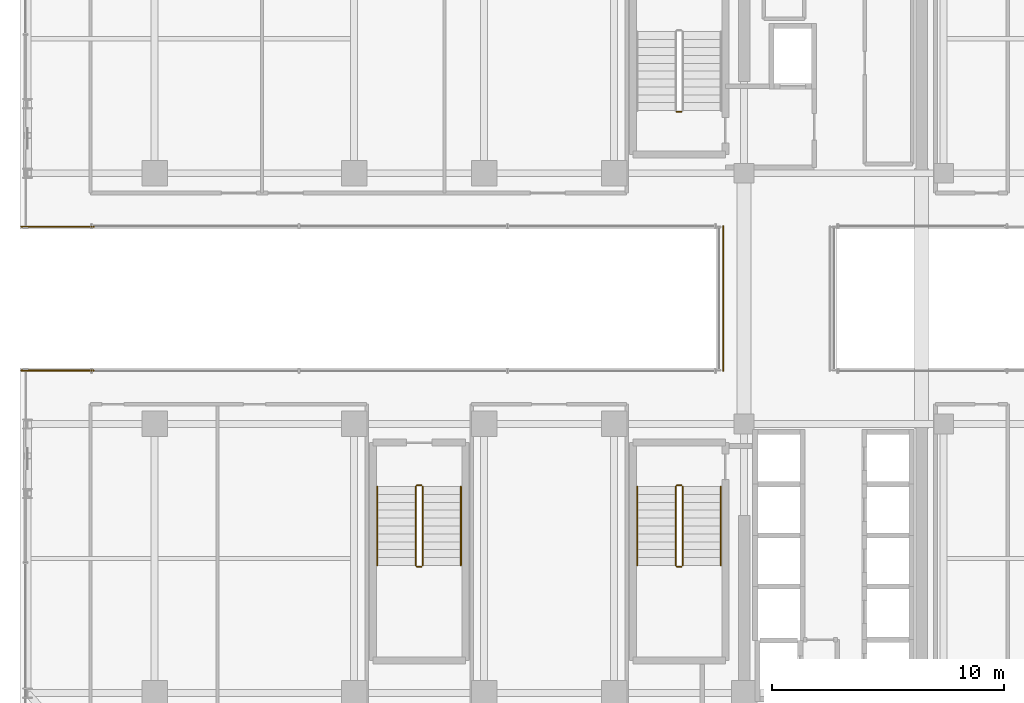
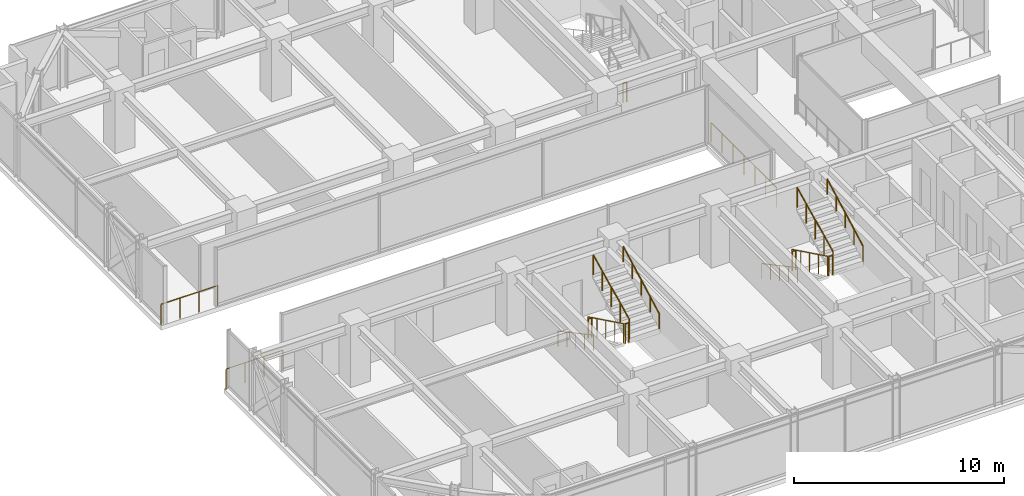
# One storey, part 38 of 41: 16 railings.
"""IFC4 building model written with IfcOpenShell, lengths in metres."""

from ifc_helpers import new_model, si_unit, direction, frame, origin, origin_2d, place, context, subcontext, project, spatial, circle, extrude, material, type_object, element, save


model = new_model("IFC4")

# Units and contexts
model_context = context("Model", 3, precision=1e-05, world=origin(), true_north=direction((0.0, 1.0)))
body_context = subcontext(model_context, "Body", "Model", "MODEL_VIEW")
ifc_project = project(units=[si_unit("LENGTHUNIT", "METRE"), si_unit("AREAUNIT", "SQUARE_METRE"), si_unit("VOLUMEUNIT", "CUBIC_METRE"), si_unit("PLANEANGLEUNIT", "RADIAN"), si_unit("MASSUNIT", "GRAM", prefix="KILO")], contexts=[model_context])

# Site, building, storey
site_placement = place(None, origin())
site = spatial("IfcSite", under=ifc_project, at=site_placement, CompositionType="ELEMENT")
building_placement = place(site_placement, origin())
building = spatial("IfcBuilding", under=site, at=building_placement, Name="Nahalor Promenade Grand Hotel", CompositionType="ELEMENT")
storey_placement = place(building_placement, frame((0.0, 0.0, 159.949951171875)))
storey = spatial("IfcBuildingStorey", under=building, at=storey_placement, Name="L40", CompositionType="ELEMENT", Elevation=159.949951171875)

# Railings
ifc_material_1 = material(Name="Anodised Bronze Aluminium EN AW-6063 T6", Category="aluminium")
railing_type_1 = type_object("IfcRailingType", Name="Bronze Balcony Guardrail 1200 mm", PredefinedType="GUARDRAIL", material=ifc_material_1)
for number, where, name in (
    (1, (-22.739990234375, -3.09912109375, 0.0), "L40 Oculus Void Edge Guardrail WS"),
    (2, (-22.739990234375, 3.09912109375, 0.0), "L40 Oculus Void Edge Guardrail WN"),
):
    element("IfcRailing", number, at=place(storey_placement, frame(where)), inside=storey, type_object=railing_type_1, Name=name, PredefinedType="GUARDRAIL", context=body_context, shape_type="SweptSolid", body=[
        extrude(circle(Radius=0.024048, at=origin_2d()), frame((0.0, 0.0, 1.17578125), z_axis=(1.0, 0.0, 0.0), x_axis=(0.0, 1.0, 0.0)), (0.0, 0.0, 1.0), 3.119873046875),
        extrude(circle(Radius=0.020996, at=origin_2d()), origin(), (0.0, 0.0, 1.0), 1.14990234375),
        extrude(circle(Radius=0.020996, at=origin_2d()), frame((1.0400390625, 0.0, 0.0)), (0.0, 0.0, 1.0), 1.14990234375),
        extrude(circle(Radius=0.020996, at=origin_2d()), frame((2.079833984375, 0.0, 0.0)), (0.0, 0.0, 1.0), 1.14990234375),
        extrude(circle(Radius=0.020996, at=origin_2d()), frame((3.119873046875, 0.0, 0.0)), (0.0, 0.0, 1.0), 1.14990234375),
    ])
railing_type_2 = type_object("IfcRailingType", Name="Bronze Sky Balustrade 1150 mm", PredefinedType="BALUSTRADE", material=ifc_material_1)
railing_1_placement = place(storey_placement, frame((7.5, -3.118896484375, 0.0)))
element("IfcRailing", 3, at=railing_1_placement, inside=storey, type_object=railing_type_2, Name="BL-L40-BRG-W", PredefinedType="BALUSTRADE", context=body_context, shape_type="SweptSolid", body=[
    extrude(circle(Radius=0.024048, at=origin_2d()), frame((0.0, 0.0, 1.1259765625), z_axis=(0.0, 1.0, 0.0), x_axis=(-1.0, 0.0, 0.0)), (0.0, 0.0, 1.0), 6.23779296875),
    extrude(circle(Radius=0.020996, at=origin_2d()), origin(), (0.0, 0.0, 1.0), 1.099853515625),
    extrude(circle(Radius=0.020996, at=origin_2d()), frame((0.0, 1.03955078125, 0.0)), (0.0, 0.0, 1.0), 1.099853515625),
    extrude(circle(Radius=0.020996, at=origin_2d()), frame((0.0, 2.079345703125, 0.0)), (0.0, 0.0, 1.0), 1.099853515625),
    extrude(circle(Radius=0.020996, at=origin_2d()), frame((0.0, 3.118896484375, 0.0)), (0.0, 0.0, 1.0), 1.099853515625),
    extrude(circle(Radius=0.020996, at=origin_2d()), frame((0.0, 4.158447265625, 0.0)), (0.0, 0.0, 1.0), 1.099853515625),
    extrude(circle(Radius=0.020996, at=origin_2d()), frame((0.0, 5.1982421875, 0.0)), (0.0, 0.0, 1.0), 1.099853515625),
    extrude(circle(Radius=0.020996, at=origin_2d()), frame((0.0, 6.23779296875, 0.0)), (0.0, 0.0, 1.0), 1.099853515625),
])
ifc_material_2 = material(Name="Steel S355JR", Category="steel")
railing_type_3 = type_object("IfcRailingType", Name="Steel Stair Guardrail 1150 mm", PredefinedType="GUARDRAIL", material=ifc_material_2)
railing_2_placement = place(storey_placement, frame((5.699951171875, 8.050048828125, 0.0)))
element("IfcRailing", 4, at=railing_2_placement, inside=storey, type_object=railing_type_3, Name="L40 ST1 stair guard 4", PredefinedType="GUARDRAIL", context=body_context, shape_type="SweptSolid", body=[
    extrude(circle(Radius=0.024048, at=origin_2d()), frame((0.0, 0.0, 1.1259765625), z_axis=(-1.0, 0.0, 0.0), x_axis=(0.0, -1.0, 0.0)), (0.0, 0.0, 1.0), 0.199951171875),
    extrude(circle(Radius=0.020996, at=origin_2d()), origin(), (0.0, 0.0, 1.0), 1.099853515625),
    extrude(circle(Radius=0.020996, at=origin_2d()), frame((-0.199951171875, 0.0, 0.0)), (0.0, 0.0, 1.0), 1.099853515625),
])
railing_3_placement = place(storey_placement, frame((5.449951171875, -8.10009765625, 0.166015625)))
element("IfcRailing", 5, at=railing_3_placement, inside=storey, type_object=railing_type_3, Name="L40 ST2 stair guard 1", PredefinedType="GUARDRAIL", context=body_context, shape_type="SweptSolid", body=[
    extrude(circle(Radius=0.024048, at=origin_2d()), frame((0.0, 0.0, 1.1259765625), z_axis=(0.0, -0.898721922897, 0.438518990814), x_axis=(1.0, 0.0, 0.0)), (0.0, 0.0, 1.0), 3.782958984375),
    extrude(circle(Radius=0.020996, at=origin_2d()), origin(), (0.0, 0.0, 1.0), 1.099853515625),
    extrude(circle(Radius=0.020996, at=origin_2d()), frame((0.0, -0.85009765625, 0.414794921875)), (0.0, 0.0, 1.0), 1.099853515625),
    extrude(circle(Radius=0.020996, at=origin_2d()), frame((0.0, -1.699951171875, 0.82958984375)), (0.0, 0.0, 1.0), 1.099853515625),
    extrude(circle(Radius=0.020996, at=origin_2d()), frame((0.0, -2.5498046875, 1.244140625)), (0.0, 0.0, 1.0), 1.099853515625),
    extrude(circle(Radius=0.020996, at=origin_2d()), frame((0.0, -3.39990234375, 1.658935546875)), (0.0, 0.0, 1.0), 1.099853515625),
])
railing_4_placement = place(storey_placement, frame((5.5, -11.550048828125, 1.824951171875)))
element("IfcRailing", 6, at=railing_4_placement, inside=storey, type_object=railing_type_3, Name="L40 ST2 stair guard 2", PredefinedType="GUARDRAIL", context=body_context, shape_type="SweptSolid", body=[
    extrude(circle(Radius=0.024048, at=origin_2d()), frame((0.0, 0.0, 1.1259765625), z_axis=(1.0, 0.0, 0.0), x_axis=(0.0, 1.0, 0.0)), (0.0, 0.0, 1.0), 0.199951171875),
    extrude(circle(Radius=0.020996, at=origin_2d()), origin(), (0.0, 0.0, 1.0), 1.099853515625),
    extrude(circle(Radius=0.020996, at=origin_2d()), frame((0.199951171875, 0.0, 0.0)), (0.0, 0.0, 1.0), 1.099853515625),
])
railing_5_placement = place(storey_placement, frame((5.75, -11.5, 1.990966796875)))
element("IfcRailing", 7, at=railing_5_placement, inside=storey, type_object=railing_type_3, Name="L40 ST2 stair guard 3", PredefinedType="GUARDRAIL", context=body_context, shape_type="SweptSolid", body=[
    extrude(circle(Radius=0.024048, at=origin_2d()), frame((0.0, 0.0, 1.1259765625), z_axis=(0.0, 0.898696488221, 0.438571114028), x_axis=(-1.0, 0.0, 0.0)), (0.0, 0.0, 1.0), 3.783203125),
    extrude(circle(Radius=0.020996, at=origin_2d()), origin(), (0.0, 0.0, 1.0), 1.099853515625),
    extrude(circle(Radius=0.020996, at=origin_2d()), frame((0.0, 0.85009765625, 0.414794921875)), (0.0, 0.0, 1.0), 1.099853515625),
    extrude(circle(Radius=0.020996, at=origin_2d()), frame((0.0, 1.699951171875, 0.82958984375)), (0.0, 0.0, 1.0), 1.099853515625),
    extrude(circle(Radius=0.020996, at=origin_2d()), frame((0.0, 2.5498046875, 1.244384765625)), (0.0, 0.0, 1.0), 1.099853515625),
    extrude(circle(Radius=0.020996, at=origin_2d()), frame((0.0, 3.39990234375, 1.6591796875)), (0.0, 0.0, 1.0), 1.099853515625),
])
railing_6_placement = place(storey_placement, frame((5.5, -8.050048828125, 0.0)))
element("IfcRailing", 8, at=railing_6_placement, inside=storey, type_object=railing_type_3, Name="L40 ST2 stair guard 4", PredefinedType="GUARDRAIL", context=body_context, shape_type="SweptSolid", body=[
    extrude(circle(Radius=0.024048, at=origin_2d()), frame((0.0, 0.0, 1.1259765625), z_axis=(1.0, 0.0, 0.0), x_axis=(0.0, 1.0, 0.0)), (0.0, 0.0, 1.0), 0.199951171875),
    extrude(circle(Radius=0.020996, at=origin_2d()), origin(), (0.0, 0.0, 1.0), 1.099853515625),
    extrude(circle(Radius=0.020996, at=origin_2d()), frame((0.199951171875, 0.0, 0.0)), (0.0, 0.0, 1.0), 1.099853515625),
])
railing_7_placement = place(storey_placement, frame((-5.75, -8.10009765625, 0.166015625)))
element("IfcRailing", 9, at=railing_7_placement, inside=storey, type_object=railing_type_3, Name="L40 ST3 stair guard 1", PredefinedType="GUARDRAIL", context=body_context, shape_type="SweptSolid", body=[
    extrude(circle(Radius=0.024048, at=origin_2d()), frame((0.0, 0.0, 1.1259765625), z_axis=(0.0, -0.898721922897, 0.438518990814), x_axis=(1.0, 0.0, 0.0)), (0.0, 0.0, 1.0), 3.782958984375),
    extrude(circle(Radius=0.020996, at=origin_2d()), origin(), (0.0, 0.0, 1.0), 1.099853515625),
    extrude(circle(Radius=0.020996, at=origin_2d()), frame((0.0, -0.85009765625, 0.414794921875)), (0.0, 0.0, 1.0), 1.099853515625),
    extrude(circle(Radius=0.020996, at=origin_2d()), frame((0.0, -1.699951171875, 0.82958984375)), (0.0, 0.0, 1.0), 1.099853515625),
    extrude(circle(Radius=0.020996, at=origin_2d()), frame((0.0, -2.5498046875, 1.244140625)), (0.0, 0.0, 1.0), 1.099853515625),
    extrude(circle(Radius=0.020996, at=origin_2d()), frame((0.0, -3.39990234375, 1.658935546875)), (0.0, 0.0, 1.0), 1.099853515625),
])
railing_8_placement = place(storey_placement, frame((-5.699951171875, -11.550048828125, 1.824951171875)))
element("IfcRailing", 10, at=railing_8_placement, inside=storey, type_object=railing_type_3, Name="L40 ST3 stair guard 2", PredefinedType="GUARDRAIL", context=body_context, shape_type="SweptSolid", body=[
    extrude(circle(Radius=0.024048, at=origin_2d()), frame((0.0, 0.0, 1.1259765625), z_axis=(1.0, 0.0, 0.0), x_axis=(0.0, 1.0, 0.0)), (0.0, 0.0, 1.0), 0.199951171875),
    extrude(circle(Radius=0.020996, at=origin_2d()), origin(), (0.0, 0.0, 1.0), 1.099853515625),
    extrude(circle(Radius=0.020996, at=origin_2d()), frame((0.199951171875, 0.0, 0.0)), (0.0, 0.0, 1.0), 1.099853515625),
])
railing_9_placement = place(storey_placement, frame((-5.449951171875, -11.5, 1.990966796875)))
element("IfcRailing", 11, at=railing_9_placement, inside=storey, type_object=railing_type_3, Name="L40 ST3 stair guard 3", PredefinedType="GUARDRAIL", context=body_context, shape_type="SweptSolid", body=[
    extrude(circle(Radius=0.024048, at=origin_2d()), frame((0.0, 0.0, 1.1259765625), z_axis=(0.0, 0.898696488221, 0.438571114028), x_axis=(-1.0, 0.0, 0.0)), (0.0, 0.0, 1.0), 3.783203125),
    extrude(circle(Radius=0.020996, at=origin_2d()), origin(), (0.0, 0.0, 1.0), 1.099853515625),
    extrude(circle(Radius=0.020996, at=origin_2d()), frame((0.0, 0.85009765625, 0.414794921875)), (0.0, 0.0, 1.0), 1.099853515625),
    extrude(circle(Radius=0.020996, at=origin_2d()), frame((0.0, 1.699951171875, 0.82958984375)), (0.0, 0.0, 1.0), 1.099853515625),
    extrude(circle(Radius=0.020996, at=origin_2d()), frame((0.0, 2.5498046875, 1.244384765625)), (0.0, 0.0, 1.0), 1.099853515625),
    extrude(circle(Radius=0.020996, at=origin_2d()), frame((0.0, 3.39990234375, 1.6591796875)), (0.0, 0.0, 1.0), 1.099853515625),
])
railing_10_placement = place(storey_placement, frame((-5.699951171875, -8.050048828125, 0.0)))
element("IfcRailing", 12, at=railing_10_placement, inside=storey, type_object=railing_type_3, Name="L40 ST3 stair guard 4", PredefinedType="GUARDRAIL", context=body_context, shape_type="SweptSolid", body=[
    extrude(circle(Radius=0.024048, at=origin_2d()), frame((0.0, 0.0, 1.1259765625), z_axis=(1.0, 0.0, 0.0), x_axis=(0.0, 1.0, 0.0)), (0.0, 0.0, 1.0), 0.199951171875),
    extrude(circle(Radius=0.020996, at=origin_2d()), origin(), (0.0, 0.0, 1.0), 1.099853515625),
    extrude(circle(Radius=0.020996, at=origin_2d()), frame((0.199951171875, 0.0, 0.0)), (0.0, 0.0, 1.0), 1.099853515625),
])
railing_type_4 = type_object("IfcRailingType", Name="Steel Stair Handrail 900 mm", PredefinedType="HANDRAIL", material=ifc_material_2)
railing_11_placement = place(storey_placement, frame((3.800048828125, -8.10009765625, 0.166015625)))
element("IfcRailing", 13, at=railing_11_placement, inside=storey, type_object=railing_type_4, Name="L40 ST2 stair handrail 1", PredefinedType="HANDRAIL", context=body_context, shape_type="SweptSolid", body=[
    extrude(circle(Radius=0.024048, at=origin_2d()), frame((0.0, 0.0, 0.8759765625), z_axis=(0.0, -0.881094038095, 0.47294111265), x_axis=(1.0, 0.0, 0.0)), (0.0, 0.0, 1.0), 3.858642578125),
    extrude(circle(Radius=0.020996, at=origin_2d()), origin(), (0.0, 0.0, 1.0), 0.849853515625),
    extrude(circle(Radius=0.020996, at=origin_2d()), frame((0.0, -0.85009765625, 0.456298828125)), (0.0, 0.0, 1.0), 0.849853515625),
    extrude(circle(Radius=0.020996, at=origin_2d()), frame((0.0, -1.699951171875, 0.91259765625)), (0.0, 0.0, 1.0), 0.849853515625),
    extrude(circle(Radius=0.020996, at=origin_2d()), frame((0.0, -2.5498046875, 1.36865234375)), (0.0, 0.0, 1.0), 0.849853515625),
    extrude(circle(Radius=0.020996, at=origin_2d()), frame((0.0, -3.39990234375, 1.824951171875)), (0.0, 0.0, 1.0), 0.849853515625),
])
railing_12_placement = place(storey_placement, frame((7.39990234375, -11.5, 1.990966796875)))
element("IfcRailing", 14, at=railing_12_placement, inside=storey, type_object=railing_type_4, Name="L40 ST2 stair handrail 2", PredefinedType="HANDRAIL", context=body_context, shape_type="SweptSolid", body=[
    extrude(circle(Radius=0.024048, at=origin_2d()), frame((0.0, 0.0, 0.8759765625), z_axis=(0.0, 0.881094038095, 0.47294111265), x_axis=(-1.0, 0.0, 0.0)), (0.0, 0.0, 1.0), 3.858642578125),
    extrude(circle(Radius=0.020996, at=origin_2d()), origin(), (0.0, 0.0, 1.0), 0.849853515625),
    extrude(circle(Radius=0.020996, at=origin_2d()), frame((0.0, 0.85009765625, 0.456298828125)), (0.0, 0.0, 1.0), 0.849853515625),
    extrude(circle(Radius=0.020996, at=origin_2d()), frame((0.0, 1.699951171875, 0.91259765625)), (0.0, 0.0, 1.0), 0.849853515625),
    extrude(circle(Radius=0.020996, at=origin_2d()), frame((0.0, 2.5498046875, 1.36865234375)), (0.0, 0.0, 1.0), 0.849853515625),
    extrude(circle(Radius=0.020996, at=origin_2d()), frame((0.0, 3.39990234375, 1.824951171875)), (0.0, 0.0, 1.0), 0.849853515625),
])
railing_13_placement = place(storey_placement, frame((-7.39990234375, -8.10009765625, 0.166015625)))
element("IfcRailing", 15, at=railing_13_placement, inside=storey, type_object=railing_type_4, Name="L40 ST3 stair handrail 1", PredefinedType="HANDRAIL", context=body_context, shape_type="SweptSolid", body=[
    extrude(circle(Radius=0.024048, at=origin_2d()), frame((0.0, 0.0, 0.8759765625), z_axis=(0.0, -0.881094038095, 0.47294111265), x_axis=(1.0, 0.0, 0.0)), (0.0, 0.0, 1.0), 3.858642578125),
    extrude(circle(Radius=0.020996, at=origin_2d()), origin(), (0.0, 0.0, 1.0), 0.849853515625),
    extrude(circle(Radius=0.020996, at=origin_2d()), frame((0.0, -0.85009765625, 0.456298828125)), (0.0, 0.0, 1.0), 0.849853515625),
    extrude(circle(Radius=0.020996, at=origin_2d()), frame((0.0, -1.699951171875, 0.91259765625)), (0.0, 0.0, 1.0), 0.849853515625),
    extrude(circle(Radius=0.020996, at=origin_2d()), frame((0.0, -2.5498046875, 1.36865234375)), (0.0, 0.0, 1.0), 0.849853515625),
    extrude(circle(Radius=0.020996, at=origin_2d()), frame((0.0, -3.39990234375, 1.824951171875)), (0.0, 0.0, 1.0), 0.849853515625),
])
railing_14_placement = place(storey_placement, frame((-3.800048828125, -11.5, 1.990966796875)))
element("IfcRailing", 16, at=railing_14_placement, inside=storey, type_object=railing_type_4, Name="L40 ST3 stair handrail 2", PredefinedType="HANDRAIL", context=body_context, shape_type="SweptSolid", body=[
    extrude(circle(Radius=0.024048, at=origin_2d()), frame((0.0, 0.0, 0.8759765625), z_axis=(0.0, 0.881094038095, 0.47294111265), x_axis=(-1.0, 0.0, 0.0)), (0.0, 0.0, 1.0), 3.858642578125),
    extrude(circle(Radius=0.020996, at=origin_2d()), origin(), (0.0, 0.0, 1.0), 0.849853515625),
    extrude(circle(Radius=0.020996, at=origin_2d()), frame((0.0, 0.85009765625, 0.456298828125)), (0.0, 0.0, 1.0), 0.849853515625),
    extrude(circle(Radius=0.020996, at=origin_2d()), frame((0.0, 1.699951171875, 0.91259765625)), (0.0, 0.0, 1.0), 0.849853515625),
    extrude(circle(Radius=0.020996, at=origin_2d()), frame((0.0, 2.5498046875, 1.36865234375)), (0.0, 0.0, 1.0), 0.849853515625),
    extrude(circle(Radius=0.020996, at=origin_2d()), frame((0.0, 3.39990234375, 1.824951171875)), (0.0, 0.0, 1.0), 0.849853515625),
])

save(model, "model.ifc")
